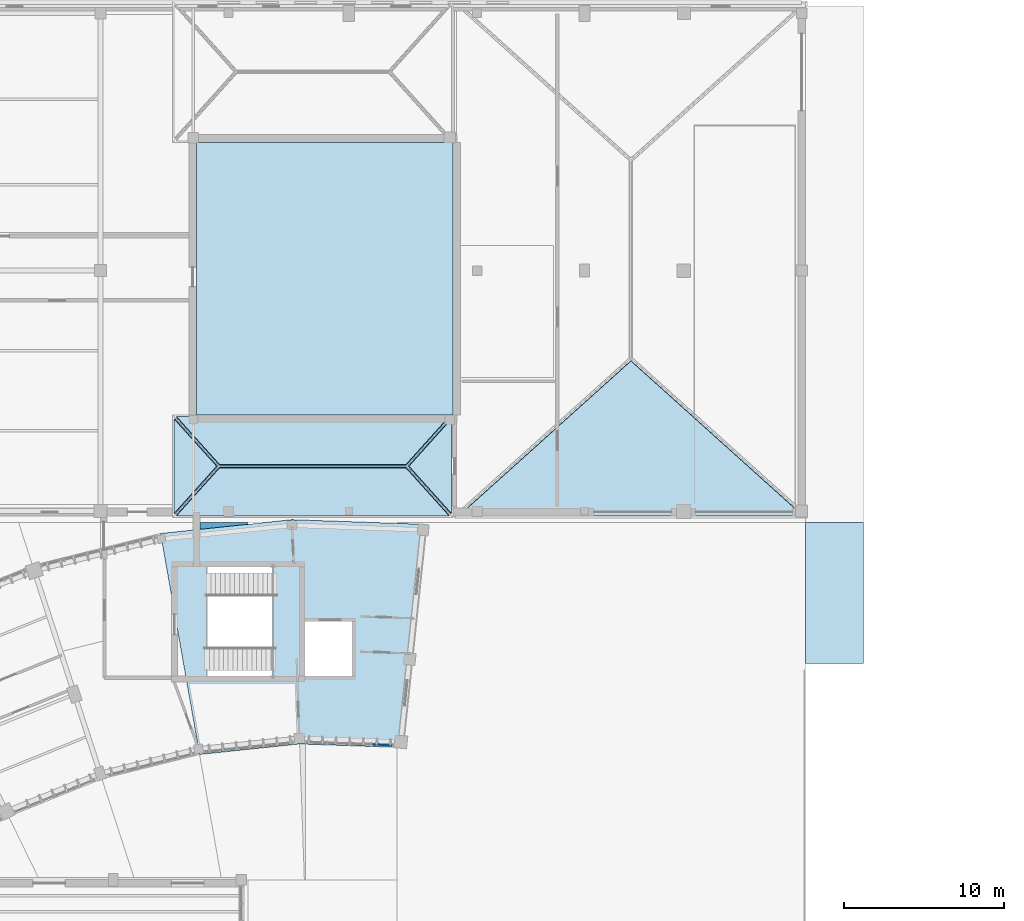
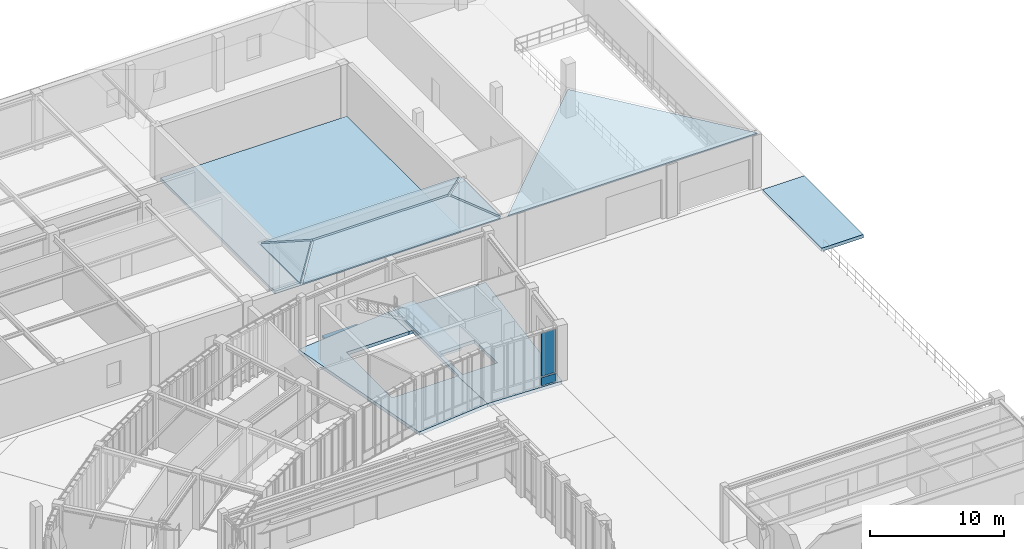
# One storey, part 28 of 68: 11 slabs, 2 plates, 2 elements without a shape of their own.
"""IFC4 building model written with IfcOpenShell, lengths in metres."""

from ifc_helpers import new_model, si_unit, direction, frame, origin, origin_2d, place, context, subcontext, project, spatial, polyline, rectangle, outline, extrude, material, layer, layer_set, type_object, element, aggregate, save


model = new_model("IFC4")

# Units and contexts
model_context = context("Model", 3, precision=1e-05, world=origin(), true_north=direction((0.0, 1.0)))
body_context = subcontext(model_context, "Body", "Model", "MODEL_VIEW")
ifc_project = project(units=[si_unit("LENGTHUNIT", "METRE"), si_unit("AREAUNIT", "SQUARE_METRE"), si_unit("VOLUMEUNIT", "CUBIC_METRE"), si_unit("PLANEANGLEUNIT", "RADIAN"), si_unit("MASSUNIT", "GRAM", prefix="KILO"), si_unit("THERMODYNAMICTEMPERATUREUNIT", "KELVIN"), si_unit("POWERUNIT", "WATT")], contexts=[model_context])

# Site, building, storey
site_placement = place(None, origin())
site = spatial("IfcSite", under=ifc_project, at=site_placement, CompositionType="ELEMENT")
building_placement = place(site_placement, origin())
building = spatial("IfcBuilding", under=site, at=building_placement, Name="Solvatero Civic Police Headquarters", CompositionType="ELEMENT")
storey_placement = place(building_placement, origin())
storey = spatial("IfcBuildingStorey", under=building, at=storey_placement, Name="L00", CompositionType="ELEMENT", Elevation=0.0)

# Curtain wall, plates
ifc_material_1 = material(Name="Anodized Bronze Aluminium", Category="aluminium")
ifc_layer_1 = layer(ifc_material_1, 0.179931640625)
ifc_layer_set_1 = layer_set([ifc_layer_1], Name="Anodized Bronze Aluminium")
curtain_wall_type = type_object("IfcCurtainWallType", Name="CW-ARC-IN", PredefinedType="USERDEFINED", material=ifc_layer_set_1)
curtain_wall_placement = place(storey_placement, origin())
curtain_wall = element("IfcCurtainWall", 1, at=curtain_wall_placement, inside=storey, type_object=curtain_wall_type, Name="Curtain Wall CW-R2-L00-ARC-IN-B01", ObjectType="UNITISED", PredefinedType="USERDEFINED")
ifc_material_2 = material(Name="Acoustic Ballistic Laminated Glass", Category="glass")
ifc_layer_2 = layer(ifc_material_2, 0.0439453125)
ifc_layer_set_2 = layer_set([ifc_layer_2], Name="Acoustic Ballistic Laminated Glass")
plate_type_1 = type_object("IfcPlateType", Name="CWP-GLZ-44", PredefinedType="CURTAIN_PANEL", material=ifc_layer_set_2)
plate_1_placement = place(storey_placement, frame((97.602783203125, 70.91162109375, 0.91015625), z_axis=(0.0, 0.0, 1.0), x_axis=(-0.999390827019, 0.034899496703, 0.0)))
plate_1 = element("IfcPlate", 2, at=plate_1_placement, type_object=plate_type_1, Name="CW-R2-L00-ARC-IN-B01 Vision Glazing 1", PredefinedType="CURTAIN_PANEL", context=body_context, shape_type="SweptSolid", body=[
    extrude(rectangle(XDim=1.200439453125, YDim=0.0439453125, at=origin_2d()), origin(), (0.0, 0.0, 1.0), 3.909912109375),
])
ifc_material_3 = material(Name="Limestone Veneer Spandrel Panel", Category="masonry")
ifc_layer_3 = layer(ifc_material_3, 0.074951171875)
ifc_layer_set_3 = layer_set([ifc_layer_3], Name="Limestone Veneer Spandrel Panel")
plate_type_2 = type_object("IfcPlateType", Name="CWP-SPN-75", PredefinedType="CURTAIN_PANEL", material=ifc_layer_set_3)
plate_2_placement = place(storey_placement, frame((97.602783203125, 70.91162109375, 0.06005859375), z_axis=(0.0, 0.0, 1.0), x_axis=(-0.999390827019, 0.034899496703, 0.0)))
plate_2 = element("IfcPlate", 3, at=plate_2_placement, type_object=plate_type_2, Name="CW-R2-L00-ARC-IN-B01 Spandrel Panel 1", PredefinedType="CURTAIN_PANEL", context=body_context, shape_type="SweptSolid", body=[
    extrude(rectangle(XDim=1.200439453125, YDim=0.074951171875, at=origin_2d()), origin(), (0.0, 0.0, 1.0), 0.72998046875),
])
aggregate(curtain_wall, [plate_2, plate_1])

# Stair, slab
ifc_material_4 = material(Name="Precast concrete C40/50", Category="concrete")
stair_type = type_object("IfcStairType", Name="STR-C145-510", PredefinedType="HALF_TURN_STAIR", material=ifc_material_4)
stair_placement = place(storey_placement, origin())
stair = element("IfcStair", 4, at=stair_placement, inside=storey, type_object=stair_type, Name="Protected Exit Stair ST-C3 (L00 to L01)", PredefinedType="HALF_TURN_STAIR")
ifc_layer_4 = layer(ifc_material_4, 0.199951171875)
ifc_layer_set_4 = layer_set([ifc_layer_4], Name="Precast concrete C40/50")
slab_type_1 = type_object("IfcSlabType", Name="SLB-LND-200", PredefinedType="LANDING", material=ifc_layer_set_4)
slab_1_placement = place(storey_placement, frame((0.0, 0.0, 2.35009765625)))
slab_1 = element("IfcSlab", 5, at=slab_1_placement, type_object=slab_type_1, Name="ST-C3 L00 Half-Landing", PredefinedType="LANDING", context=body_context, shape_type="SweptSolid", body=[
    extrude(outline(polyline([(90.764892578125, 75.050048828125), (92.550048828125, 75.050048828125), (92.550048828125, 82.14990234375), (90.764892578125, 82.14990234375), (90.764892578125, 75.050048828125)])), origin(), (0.0, 0.0, 1.0), 0.199951171875),
])
aggregate(stair, [slab_1])

# Slabs
ifc_material_5 = material(Name="Concrete C40/50", Category="concrete")
ifc_layer_5 = layer(ifc_material_5, 0.300048828125)
ifc_layer_set_5 = layer_set([ifc_layer_5], Name="Concrete C40/50")
slab_type_2 = type_object("IfcSlabType", Name="SLB-RC-300", PredefinedType="FLOOR", material=ifc_layer_set_5)
slab_2_placement = place(storey_placement, frame((0.0, 0.0, -0.300048828125)))
element("IfcSlab", 6, at=slab_2_placement, inside=storey, type_object=slab_type_2, Name="L00 Operations Arc Floor Slab Bay 1", PredefinedType="FLOOR", context=body_context, shape_type="SweptSolid", body=[
    extrude(outline(polyline([(98.703857421875, 70.75341796875), (92.429443359375, 70.97265625), (92.281982421875, 75.199951171875), (92.39990234375, 75.199951171875), (92.39990234375, 82.0), (92.04443359375, 82.0), (91.94091796875, 84.964111328125), (100.167236328125, 84.6767578125), (98.703857421875, 70.75341796875)]), holes=[polyline([(92.699951171875, 75.199951171875), (95.699951171875, 75.199951171875), (95.699951171875, 78.60009765625), (92.699951171875, 78.60009765625), (92.699951171875, 75.199951171875)])]), origin(), (0.0, 0.0, 1.0), 0.300048828125),
])
slab_3_placement = place(storey_placement, frame((0.0, 0.0, -0.300048828125)))
element("IfcSlab", 7, at=slab_3_placement, inside=storey, type_object=slab_type_2, Name="L00 Operations Arc Floor Slab Bay 2", PredefinedType="FLOOR", context=body_context, shape_type="SweptSolid", body=[
    extrude(outline(polyline([(83.7548828125, 84.103759765625), (91.93896484375, 84.9638671875), (92.04248046875, 82.0), (86.659912109375, 82.0), (86.659912109375, 75.199951171875), (92.27978515625, 75.199951171875), (92.427490234375, 70.972412109375), (86.185791015625, 70.31640625), (83.7548828125, 84.103759765625)])), origin(), (0.0, 0.0, 1.0), 0.300048828125),
])
slab_4_placement = place(storey_placement, frame((0.0, 0.0, -0.300048828125)))
element("IfcSlab", 8, at=slab_4_placement, inside=storey, type_object=slab_type_2, Name="L00 Vehicle Ramp Exterior Driveway Apron", ObjectType="PAVING", PredefinedType="USERDEFINED", context=body_context, shape_type="SweptSolid", body=[
    extrude(outline(polyline([(127.60009765625, 84.800048828125), (127.60009765625, 76.0), (124.001953125, 76.0), (124.001953125, 84.800048828125), (127.60009765625, 84.800048828125)])), origin(), (0.0, 0.0, 1.0), 0.300048828125),
])
ifc_material_6 = material(Name="Concrete C35/45", Category="concrete")
ifc_layer_6 = layer(ifc_material_6, 0.179931640625)
ifc_layer_set_6 = layer_set([ifc_layer_6], Name="Concrete C35/45")
slab_type_3 = type_object("IfcSlabType", Name="SLB-RF-COT-180", PredefinedType="ROOF", material=ifc_layer_set_6)
slab_5_placement = place(storey_placement, frame((123.837158203125, 85.199951171875, 4.9599609375), z_axis=(0.0, -0.189184145532, 0.981941627124), x_axis=(-1.0, 0.0, 0.0)))
element("IfcSlab", 9, at=slab_5_placement, inside=storey, type_object=slab_type_3, Name="SLYP Lombard Hipped Roof Slab S", PredefinedType="ROOF", context=body_context, shape_type="SweptSolid", body=[
    extrude(outline(polyline([(0.0, 0.0), (21.474365234375, 0.0), (10.737060546875, -9.841291938148737), (0.0, 0.0)])), origin(), (0.0, 0.0, -1.0), 0.179931640625),
])
for number, where, z_axis, x_axis, name in (
    (10, (99.058837890625, 88.197265625, 6.110595703125), (0.0, -0.358387914712, 0.933572762343), (0.643278572088, -0.714773375828, -0.274393330641), "CUSYS Lombard Hipped Roof Slab S"),
    (11, (87.441162109375, 88.402587890625, 6.110595703125), (0.0, 0.358387914712, 0.933572762343), (-0.643278572088, 0.714773375828, -0.274393330641), "CUSYS Lombard Hipped Roof Slab N"),
):
    element("IfcSlab", number, at=place(storey_placement, frame(where, z_axis=z_axis, x_axis=x_axis)), inside=storey, type_object=slab_type_3, Name=name, PredefinedType="ROOF", context=body_context, shape_type="SweptSolid", body=[
        extrude(outline(polyline([(0.0, 0.0), (4.193377305993245, 5.551115123125783e-17), (-6.750525041997702, -13.025467484647056), (-7.473401887542293, -8.894866766035458), (0.0, 0.0)])), origin(), (0.0, 0.0, -1.0), 0.179931640625),
    ])
for number, where, z_axis, x_axis, name in (
    (12, (84.60009765625, 85.357421875, 4.9599609375), (-0.392363118721, 0.0, 0.919810406044), (0.0, 1.0, 0.0), "CUSYS Lombard Hipped Roof Slab W"),
    (13, (101.89990234375, 91.24267578125, 4.9599609375), (0.392363118721, 0.0, 0.919810406044), (0.0, -1.0, 0.0), "CUSYS Lombard Hipped Roof Slab E"),
):
    element("IfcSlab", number, at=place(storey_placement, frame(where, z_axis=z_axis, x_axis=x_axis)), inside=storey, type_object=slab_type_3, Name=name, PredefinedType="ROOF", context=body_context, shape_type="SweptSolid", body=[
        extrude(outline(polyline([(0.0, 0.0), (5.88525390625, 0.0), (2.942626953125, -2.8790643614954776), (0.0, 0.0)])), origin(), (0.0, 0.0, -1.0), 0.179931640625),
    ])
ifc_layer_7 = layer(ifc_material_6, 0.260009765625)
ifc_layer_set_7 = layer_set([ifc_layer_7], Name="Concrete C35/45")
slab_type_4 = type_object("IfcSlabType", Name="SLB-TERR-260", PredefinedType="FLOOR", material=ifc_layer_set_7)
slab_6_placement = place(storey_placement, frame((0.0, 0.0, -0.260009765625)))
element("IfcSlab", 14, at=slab_6_placement, inside=storey, type_object=slab_type_4, Name="L00 Walkable roof terrace slab SLB-L00-YARD", PredefinedType="FLOOR", context=body_context, shape_type="SweptSolid", body=[
    extrude(outline(polyline([(86.001953125, 91.501953125), (86.001953125, 108.498046875), (101.998046875, 108.498046875), (101.998046875, 91.501953125), (86.001953125, 91.501953125)])), origin(), (0.0, 0.0, 1.0), 0.260009765625),
])
slab_7_placement = place(storey_placement, frame((0.0, 0.0, -0.260009765625)))
element("IfcSlab", 15, at=slab_7_placement, inside=storey, type_object=slab_type_4, Name="L00 Walkable roof terrace slab SLB-L00-CROUT-B02", PredefinedType="FLOOR", context=body_context, shape_type="SweptSolid", body=[
    extrude(outline(polyline([(89.199951171875, 84.677978515625), (86.201904296875, 84.36279296875), (86.201904296875, 84.798095703125), (89.199951171875, 84.798095703125), (89.199951171875, 84.677978515625)])), origin(), (0.0, 0.0, 1.0), 0.260009765625),
])

save(model, "model.ifc")
